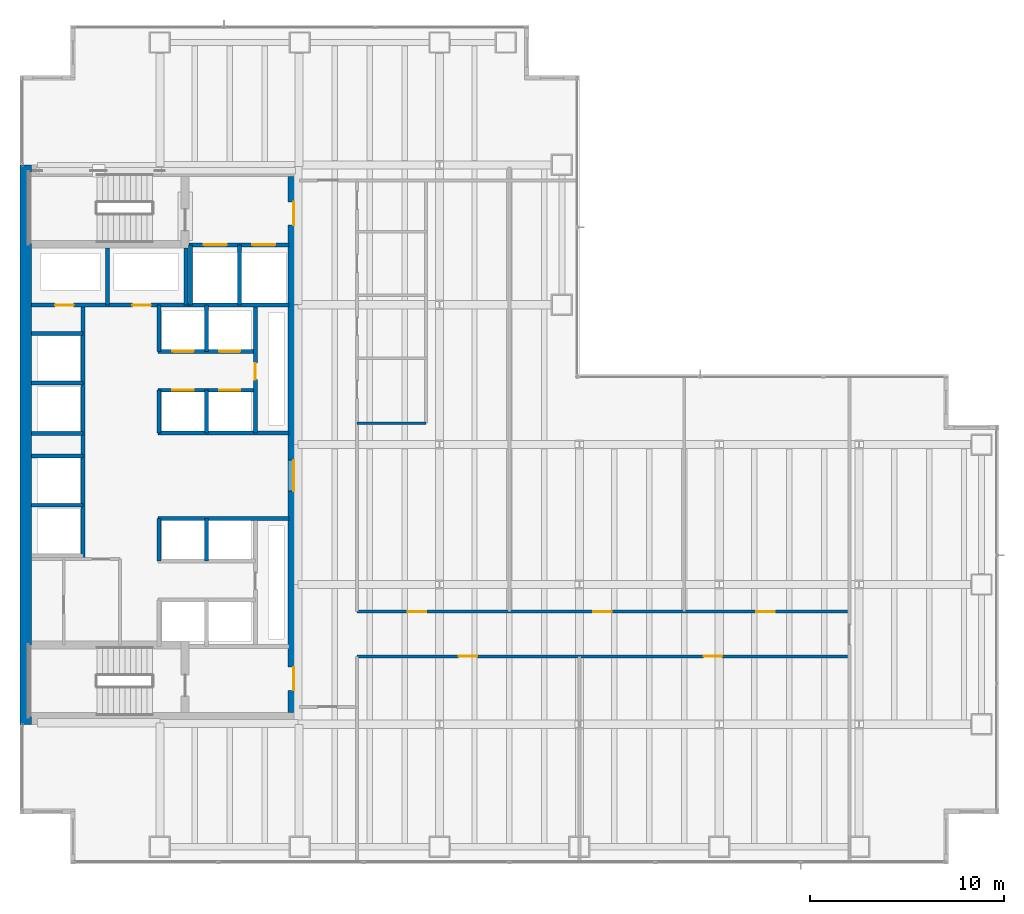
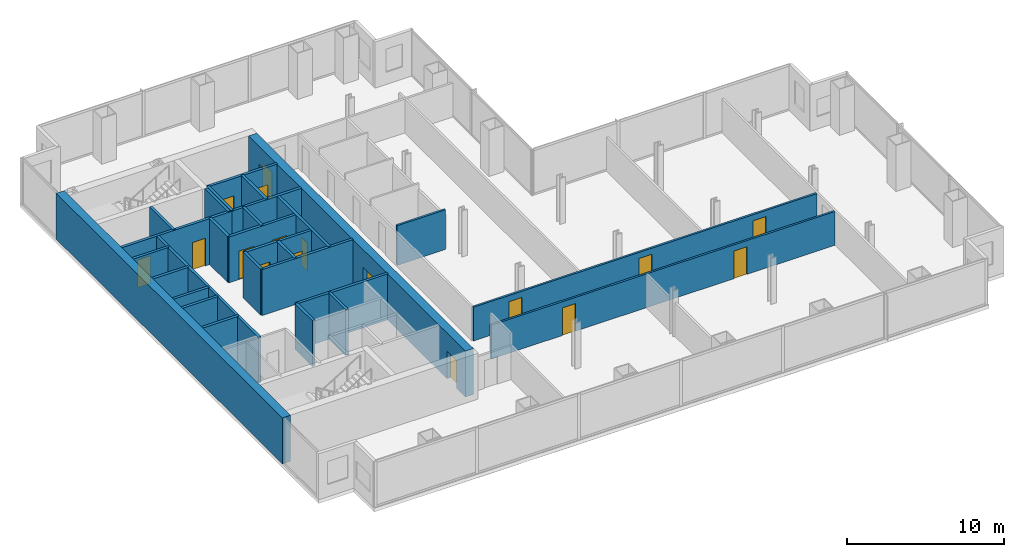
# One storey, part 21 of 25: 29 walls, 17 doors, 17 openings.
"""IFC4 building model written with IfcOpenShell, lengths in metres."""

from ifc_helpers import new_model, si_unit, direction, frame, frame_2d, origin, place, context, subcontext, project, spatial, rectangle, extrude, material, layer, layer_set, type_object, element, fill, save


model = new_model("IFC4")

# Units and contexts
model_context = context("Model", 3, precision=1e-05, world=origin(), true_north=direction((0.0, 1.0)))
body_context = subcontext(model_context, "Body", "Model", "MODEL_VIEW")
ifc_project = project(units=[si_unit("LENGTHUNIT", "METRE"), si_unit("AREAUNIT", "SQUARE_METRE"), si_unit("VOLUMEUNIT", "CUBIC_METRE"), si_unit("PLANEANGLEUNIT", "RADIAN"), si_unit("MASSUNIT", "GRAM", prefix="KILO")], contexts=[model_context])

# Site, building, storey
site_placement = place(None, origin())
site = spatial("IfcSite", under=ifc_project, at=site_placement, CompositionType="ELEMENT")
building_placement = place(site_placement, origin())
building = spatial("IfcBuilding", under=site, at=building_placement, Name="Cobrela Telecom Tower", CompositionType="ELEMENT")
storey_placement = place(building_placement, frame((0.0, 0.0, 35.0)))
storey = spatial("IfcBuildingStorey", under=building, at=storey_placement, Name="L08", CompositionType="ELEMENT", Elevation=35.0)

# Wall
ifc_material_1 = material(Name="Concrete C50/60", Category="concrete")
ifc_layer_1 = layer(ifc_material_1, 0.60009765625)
ifc_layer_set_1 = layer_set([ifc_layer_1], Name="Concrete C50/60")
wall_type_1 = type_object("IfcWallType", Name="WALL-CORE-C50-600", PredefinedType="SHEAR", material=ifc_layer_set_1)
wall_1_placement = place(storey_placement, frame((0.300048828125, 7.199951171875, 0.0), z_axis=(0.0, 0.0, 1.0), x_axis=(0.0, 1.0, 0.0)))
element("IfcWall", 1, at=wall_1_placement, inside=storey, type_object=wall_type_1, Name="L08 West Core Shear Wall", PredefinedType="SHEAR", context=body_context, shape_type="SweptSolid", body=[
    extrude(rectangle(XDim=28.800048828125, YDim=0.60009765625, at=frame_2d((14.39990234375, 0.0))), origin(), (0.0, 0.0, 1.0), 3.570068359375),
])

# Wall, openings, doors
wall_2_placement = place(storey_placement, frame((14.10009765625, 35.39990234375, 0.0), z_axis=(0.0, 0.0, 1.0), x_axis=(0.0, -1.0, 0.0)))
wall_2 = element("IfcWall", 2, at=wall_2_placement, inside=storey, type_object=wall_type_1, Name="L08 East Core Shear Wall", PredefinedType="SHEAR", context=body_context, shape_type="SweptSolid", body=[
    extrude(rectangle(XDim=27.599853515625, YDim=0.60009765625, at=frame_2d((13.7998046875, 0.0))), origin(), (0.0, 0.0, 1.0), 3.570068359375),
])
opening_1_placement = place(wall_2_placement, frame((1.300048828125, 0.0, 0.0)))
opening_1 = element("IfcOpeningElement", 3, at=opening_1_placement, cuts=wall_2, Name="Opening DR-19", PredefinedType="OPENING", context=body_context, shape_type="SweptSolid", body=[
    extrude(rectangle(XDim=1.199951171875, YDim=2.14990234375, at=frame_2d((0.60009765625, 1.074951171875))), frame((0.0, 0.31201171875, 0.0), z_axis=(0.0, -1.0, 0.0), x_axis=(1.0, 0.0, 0.0)), (0.0, 0.0, 1.0), 0.6240234375),
])
opening_2_placement = place(wall_2_placement, frame((25.25, 0.0, 0.0)))
opening_2 = element("IfcOpeningElement", 4, at=opening_2_placement, cuts=wall_2, Name="Opening DR-19", PredefinedType="OPENING", context=body_context, shape_type="SweptSolid", body=[
    extrude(rectangle(XDim=1.199951171875, YDim=2.14990234375, at=frame_2d((0.60009765625, 1.074951171875))), frame((0.0, 0.31201171875, 0.0), z_axis=(0.0, -1.0, 0.0), x_axis=(1.0, 0.0, 0.0)), (0.0, 0.0, 1.0), 0.6240234375),
])
opening_3_placement = place(wall_2_placement, frame((14.60009765625, 0.0, 0.0)))
opening_3 = element("IfcOpeningElement", 5, at=opening_3_placement, cuts=wall_2, Name="Opening DR-51", PredefinedType="OPENING", context=body_context, shape_type="SweptSolid", body=[
    extrude(rectangle(XDim=1.60009765625, YDim=2.199951171875, at=frame_2d((0.800048828125, 1.10009765625))), frame((0.0, 0.31201171875, 0.0), z_axis=(0.0, -1.0, 0.0), x_axis=(1.0, 0.0, 0.0)), (0.0, 0.0, 1.0), 0.6240234375),
])
ifc_material_2 = material(Name="Steel ASTM A36", Category="steel")
door_type_1 = type_object("IfcDoorType", Name="DOOR-FD60-1200", OperationType="SINGLE_SWING_LEFT", PredefinedType="DOOR", material=ifc_material_2)
door_1_placement = place(opening_1_placement, origin())
door_1 = element("IfcDoor", 6, at=door_1_placement, inside=storey, type_object=door_type_1, Name="L08 Door DR-19", OperationType="SINGLE_SWING_LEFT", OverallHeight=2.14990234375, OverallWidth=1.199951171875, PredefinedType="DOOR", context=body_context, shape_type="SweptSolid", body=[
    extrude(rectangle(XDim=1.199951171875, YDim=2.14990234375, at=frame_2d((0.60009765625, 1.074951171875))), frame((0.0, 0.02490234375, 0.0), z_axis=(0.0, -1.0, 0.0), x_axis=(1.0, 0.0, 0.0)), (0.0, 0.0, 1.0), 0.050048828125),
])
fill(opening_1, door_1)
door_2_placement = place(opening_2_placement, origin())
door_2 = element("IfcDoor", 7, at=door_2_placement, inside=storey, type_object=door_type_1, Name="L08 Door DR-19", OperationType="SINGLE_SWING_RIGHT", OverallHeight=2.14990234375, OverallWidth=1.199951171875, PredefinedType="DOOR", context=body_context, shape_type="SweptSolid", body=[
    extrude(rectangle(XDim=1.199951171875, YDim=2.14990234375, at=frame_2d((0.60009765625, 1.074951171875))), frame((0.0, 0.02490234375, 0.0), z_axis=(0.0, -1.0, 0.0), x_axis=(1.0, 0.0, 0.0)), (0.0, 0.0, 1.0), 0.050048828125),
])
fill(opening_2, door_2)
door_type_2 = type_object("IfcDoorType", Name="DOOR-FD60-1600", OperationType="SINGLE_SWING_LEFT", PredefinedType="DOOR", material=ifc_material_2)
door_3_placement = place(opening_3_placement, origin())
door_3 = element("IfcDoor", 8, at=door_3_placement, inside=storey, type_object=door_type_2, Name="L08 Door DR-51", OperationType="DOUBLE_DOOR_SINGLE_SWING", OverallHeight=2.199951171875, OverallWidth=1.60009765625, PredefinedType="DOOR", context=body_context, shape_type="SweptSolid", body=[
    extrude(rectangle(XDim=1.60009765625, YDim=2.199951171875, at=frame_2d((0.800048828125, 1.10009765625))), frame((0.0, 0.02490234375, 0.0), z_axis=(0.0, -1.0, 0.0), x_axis=(1.0, 0.0, 0.0)), (0.0, 0.0, 1.0), 0.050048828125),
])
fill(opening_3, door_3)

ifc_material_3 = material(Name="Fire-Rated Gypsum Plasterboard")
ifc_layer_2 = layer(ifc_material_3, 0.14990234375)
ifc_layer_set_2 = layer_set([ifc_layer_2], Name="Fire-Rated Gypsum Plasterboard")
wall_type_2 = type_object("IfcWallType", Name="WALL-PART-150", PredefinedType="PARTITIONING", material=ifc_layer_set_2)
wall_3_placement = place(storey_placement, frame((17.35009765625, 10.699951171875, 0.0), z_axis=(0.0, 0.0, 1.0), x_axis=(1.0, 0.0, 0.0)))
wall_3 = element("IfcWall", 9, at=wall_3_placement, inside=storey, type_object=wall_type_2, Name="L08 Interior Partition W-C-HS", PredefinedType="PARTITIONING", context=body_context, shape_type="SweptSolid", body=[
    extrude(rectangle(XDim=25.25, YDim=0.14990234375, at=frame_2d((12.625, 0.0))), origin(), (0.0, 0.0, 1.0), 2.6279296875),
])
opening_4_placement = place(wall_3_placement, frame((5.22998046875, 0.0, 0.0)))
opening_4 = element("IfcOpeningElement", 10, at=opening_4_placement, cuts=wall_3, Name="Opening DR-67", PredefinedType="OPENING", context=body_context, shape_type="SweptSolid", body=[
    extrude(rectangle(XDim=0.949951171875, YDim=2.14990234375, at=frame_2d((0.47509765625, 1.074951171875))), frame((0.0, 0.0869140625, 0.0), z_axis=(0.0, -1.0, 0.0), x_axis=(1.0, 0.0, 0.0)), (0.0, 0.0, 1.0), 0.173828125),
])
opening_5_placement = place(wall_3_placement, frame((17.85009765625, 0.0, 0.0)))
opening_5 = element("IfcOpeningElement", 11, at=opening_5_placement, cuts=wall_3, Name="Opening DR-67", PredefinedType="OPENING", context=body_context, shape_type="SweptSolid", body=[
    extrude(rectangle(XDim=0.949951171875, YDim=2.14990234375, at=frame_2d((0.47509765625, 1.074951171875))), frame((0.0, 0.0869140625, 0.0), z_axis=(0.0, -1.0, 0.0), x_axis=(1.0, 0.0, 0.0)), (0.0, 0.0, 1.0), 0.173828125),
])
ifc_material_4 = material(Name="Solid Engineered Oak Timber", Category="wood")
door_type_3 = type_object("IfcDoorType", Name="DOOR-INT-950", OperationType="SINGLE_SWING_LEFT", PredefinedType="DOOR", material=ifc_material_4)
door_4_placement = place(opening_4_placement, origin())
door_4 = element("IfcDoor", 12, at=door_4_placement, inside=storey, type_object=door_type_3, Name="L08 Door DR-67", OperationType="SINGLE_SWING_LEFT", OverallHeight=2.14990234375, OverallWidth=0.949951171875, PredefinedType="DOOR", context=body_context, shape_type="SweptSolid", body=[
    extrude(rectangle(XDim=0.949951171875, YDim=2.14990234375, at=frame_2d((0.47509765625, 1.074951171875))), frame((0.0, 0.02490234375, 0.0), z_axis=(0.0, -1.0, 0.0), x_axis=(1.0, 0.0, 0.0)), (0.0, 0.0, 1.0), 0.050048828125),
])
fill(opening_4, door_4)
door_5_placement = place(opening_5_placement, origin())
door_5 = element("IfcDoor", 13, at=door_5_placement, inside=storey, type_object=door_type_3, Name="L08 Door DR-67", OperationType="SINGLE_SWING_RIGHT", OverallHeight=2.14990234375, OverallWidth=0.949951171875, PredefinedType="DOOR", context=body_context, shape_type="SweptSolid", body=[
    extrude(rectangle(XDim=0.949951171875, YDim=2.14990234375, at=frame_2d((0.47509765625, 1.074951171875))), frame((0.0, 0.02490234375, 0.0), z_axis=(0.0, -1.0, 0.0), x_axis=(1.0, 0.0, 0.0)), (0.0, 0.0, 1.0), 0.050048828125),
])
fill(opening_5, door_5)

wall_4_placement = place(storey_placement, frame((17.35009765625, 13.0, 0.0), z_axis=(0.0, 0.0, 1.0), x_axis=(1.0, 0.0, 0.0)))
wall_4 = element("IfcWall", 14, at=wall_4_placement, inside=storey, type_object=wall_type_2, Name="L08 Interior Partition W-C-HN", PredefinedType="PARTITIONING", context=body_context, shape_type="SweptSolid", body=[
    extrude(rectangle(XDim=25.25, YDim=0.14990234375, at=frame_2d((12.625, 0.0))), origin(), (0.0, 0.0, 1.0), 2.6279296875),
])
opening_6_placement = place(wall_4_placement, frame((2.6201171875, 0.0, 0.0)))
opening_6 = element("IfcOpeningElement", 15, at=opening_6_placement, cuts=wall_4, Name="Opening DR-67", PredefinedType="OPENING", context=body_context, shape_type="SweptSolid", body=[
    extrude(rectangle(XDim=0.949951171875, YDim=2.14990234375, at=frame_2d((0.47509765625, 1.074951171875))), frame((0.0, 0.0869140625, 0.0), z_axis=(0.0, -1.0, 0.0), x_axis=(1.0, 0.0, 0.0)), (0.0, 0.0, 1.0), 0.173828125),
])
opening_7_placement = place(wall_4_placement, frame((12.169921875, 0.0, 0.0)))
opening_7 = element("IfcOpeningElement", 16, at=opening_7_placement, cuts=wall_4, Name="Opening DR-67", PredefinedType="OPENING", context=body_context, shape_type="SweptSolid", body=[
    extrude(rectangle(XDim=0.949951171875, YDim=2.14990234375, at=frame_2d((0.47509765625, 1.074951171875))), frame((0.0, 0.0869140625, 0.0), z_axis=(0.0, -1.0, 0.0), x_axis=(1.0, 0.0, 0.0)), (0.0, 0.0, 1.0), 0.173828125),
])
opening_8_placement = place(wall_4_placement, frame((20.550048828125, 0.0, 0.0)))
opening_8 = element("IfcOpeningElement", 17, at=opening_8_placement, cuts=wall_4, Name="Opening DR-67", PredefinedType="OPENING", context=body_context, shape_type="SweptSolid", body=[
    extrude(rectangle(XDim=0.949951171875, YDim=2.14990234375, at=frame_2d((0.47509765625, 1.074951171875))), frame((0.0, 0.0869140625, 0.0), z_axis=(0.0, -1.0, 0.0), x_axis=(1.0, 0.0, 0.0)), (0.0, 0.0, 1.0), 0.173828125),
])
door_6_placement = place(opening_6_placement, origin())
door_6 = element("IfcDoor", 18, at=door_6_placement, inside=storey, type_object=door_type_3, Name="L08 Door DR-67", OperationType="SINGLE_SWING_LEFT", OverallHeight=2.14990234375, OverallWidth=0.949951171875, PredefinedType="DOOR", context=body_context, shape_type="SweptSolid", body=[
    extrude(rectangle(XDim=0.949951171875, YDim=2.14990234375, at=frame_2d((0.47509765625, 1.074951171875))), frame((0.0, 0.02490234375, 0.0), z_axis=(0.0, -1.0, 0.0), x_axis=(1.0, 0.0, 0.0)), (0.0, 0.0, 1.0), 0.050048828125),
])
fill(opening_6, door_6)
door_7_placement = place(opening_7_placement, origin())
door_7 = element("IfcDoor", 19, at=door_7_placement, inside=storey, type_object=door_type_3, Name="L08 Door DR-67", OperationType="SINGLE_SWING_RIGHT", OverallHeight=2.14990234375, OverallWidth=0.949951171875, PredefinedType="DOOR", context=body_context, shape_type="SweptSolid", body=[
    extrude(rectangle(XDim=0.949951171875, YDim=2.14990234375, at=frame_2d((0.47509765625, 1.074951171875))), frame((0.0, 0.02490234375, 0.0), z_axis=(0.0, -1.0, 0.0), x_axis=(1.0, 0.0, 0.0)), (0.0, 0.0, 1.0), 0.050048828125),
])
fill(opening_7, door_7)
door_8_placement = place(opening_8_placement, origin())
door_8 = element("IfcDoor", 20, at=door_8_placement, inside=storey, type_object=door_type_3, Name="L08 Door DR-67", OperationType="SINGLE_SWING_LEFT", OverallHeight=2.14990234375, OverallWidth=0.949951171875, PredefinedType="DOOR", context=body_context, shape_type="SweptSolid", body=[
    extrude(rectangle(XDim=0.949951171875, YDim=2.14990234375, at=frame_2d((0.47509765625, 1.074951171875))), frame((0.0, 0.02490234375, 0.0), z_axis=(0.0, -1.0, 0.0), x_axis=(1.0, 0.0, 0.0)), (0.0, 0.0, 1.0), 0.050048828125),
])
fill(opening_8, door_8)

# Wall
wall_5_placement = place(storey_placement, frame((17.35009765625, 22.699951171875, 0.0), z_axis=(0.0, 0.0, 1.0), x_axis=(1.0, 0.0, 0.0)))
element("IfcWall", 21, at=wall_5_placement, inside=storey, type_object=wall_type_2, Name="L08 Interior Partition W-WC-S", PredefinedType="PARTITIONING", context=body_context, shape_type="SweptSolid", body=[
    extrude(rectangle(XDim=3.5498046875, YDim=0.14990234375, at=frame_2d((1.77490234375, 0.0))), origin(), (0.0, 0.0, 1.0), 3.087890625),
])

# Wall, openings, doors
ifc_layer_3 = layer(ifc_material_3, 0.199951171875)
ifc_layer_set_3 = layer_set([ifc_layer_3], Name="Fire-Rated Gypsum Plasterboard")
wall_type_3 = type_object("IfcWallType", Name="WALL-SHAFT-200", PredefinedType="PARTITIONING", material=ifc_layer_set_3)
wall_6_placement = place(storey_placement, frame((8.699951171875, 31.8798828125, 0.0), z_axis=(0.0, 0.0, 1.0), x_axis=(1.0, 0.0, 0.0)))
wall_6 = element("IfcWall", 22, at=wall_6_placement, inside=storey, type_object=wall_type_3, Name="L08 Shaft Enclosure CW-FFL-S", PredefinedType="PARTITIONING", context=body_context, shape_type="SweptSolid", body=[
    extrude(rectangle(XDim=5.150146484375, YDim=0.199951171875, at=frame_2d((2.5751953125, 0.0))), origin(), (0.0, 0.0, 1.0), 3.570068359375),
])
opening_9_placement = place(wall_6_placement, frame((0.75, 0.0, 0.0)))
opening_9 = element("IfcOpeningElement", 23, at=opening_9_placement, cuts=wall_6, Name="Opening LD-2", PredefinedType="OPENING", context=body_context, shape_type="SweptSolid", body=[
    extrude(rectangle(XDim=1.199951171875, YDim=2.199951171875, at=frame_2d((0.60009765625, 1.10009765625))), frame((0.0, 0.11181640625, 0.0), z_axis=(0.0, -1.0, 0.0), x_axis=(1.0, 0.0, 0.0)), (0.0, 0.0, 1.0), 0.223876953125),
])
opening_10_placement = place(wall_6_placement, frame((3.25, 0.0, 0.0)))
opening_10 = element("IfcOpeningElement", 24, at=opening_10_placement, cuts=wall_6, Name="Opening LD-2", PredefinedType="OPENING", context=body_context, shape_type="SweptSolid", body=[
    extrude(rectangle(XDim=1.199951171875, YDim=2.199951171875, at=frame_2d((0.60009765625, 1.10009765625))), frame((0.0, 0.11181640625, 0.0), z_axis=(0.0, -1.0, 0.0), x_axis=(1.0, 0.0, 0.0)), (0.0, 0.0, 1.0), 0.223876953125),
])
door_type_4 = type_object("IfcDoorType", Name="DOOR-LD-FFL", OperationType="SINGLE_SWING_LEFT", PredefinedType="DOOR", material=ifc_material_2)
door_9_placement = place(opening_9_placement, origin())
door_9 = element("IfcDoor", 25, at=door_9_placement, inside=storey, type_object=door_type_4, Name="L08 Lift Landing Door LD-2", OperationType="DOUBLE_DOOR_SLIDING", OverallHeight=2.199951171875, OverallWidth=1.199951171875, PredefinedType="DOOR", context=body_context, shape_type="SweptSolid", body=[
    extrude(rectangle(XDim=1.199951171875, YDim=2.199951171875, at=frame_2d((0.60009765625, 1.10009765625))), frame((0.0, 0.02490234375, 0.0), z_axis=(0.0, -1.0, 0.0), x_axis=(1.0, 0.0, 0.0)), (0.0, 0.0, 1.0), 0.050048828125),
])
fill(opening_9, door_9)
door_10_placement = place(opening_10_placement, origin())
door_10 = element("IfcDoor", 26, at=door_10_placement, inside=storey, type_object=door_type_4, Name="L08 Lift Landing Door LD-2", OperationType="DOUBLE_DOOR_SLIDING", OverallHeight=2.199951171875, OverallWidth=1.199951171875, PredefinedType="DOOR", context=body_context, shape_type="SweptSolid", body=[
    extrude(rectangle(XDim=1.199951171875, YDim=2.199951171875, at=frame_2d((0.60009765625, 1.10009765625))), frame((0.0, 0.02490234375, 0.0), z_axis=(0.0, -1.0, 0.0), x_axis=(1.0, 0.0, 0.0)), (0.0, 0.0, 1.0), 0.050048828125),
])
fill(opening_10, door_10)

# Walls
wall_7_placement = place(storey_placement, frame((8.699951171875, 28.780029296875, 0.0), z_axis=(0.0, 0.0, 1.0), x_axis=(1.0, 0.0, 0.0)))
element("IfcWall", 27, at=wall_7_placement, inside=storey, type_object=wall_type_3, Name="L08 Shaft Enclosure CW-FFL-S2", PredefinedType="PARTITIONING", context=body_context, shape_type="SweptSolid", body=[
    extrude(rectangle(XDim=5.150146484375, YDim=0.199951171875, at=frame_2d((2.5751953125, 0.0))), origin(), (0.0, 0.0, 1.0), 3.570068359375),
])
for number, where, z_axis, x_axis, name in (
    (28, (8.780029296875, 28.780029296875, 0.0), (0.0, 0.0, 1.0), (0.0, 1.0, 0.0), "L08 Shaft Enclosure CW-FFL-W"),
    (29, (11.300048828125, 28.780029296875, 0.0), (0.0, 0.0, 1.0), (0.0, 1.0, 0.0), "L08 Shaft Enclosure CW-FFL-M"),
):
    element("IfcWall", number, at=place(storey_placement, frame(where, z_axis=z_axis, x_axis=x_axis)), inside=storey, type_object=wall_type_3, Name=name, PredefinedType="PARTITIONING", context=body_context, shape_type="SweptSolid", body=[
        extrude(rectangle(XDim=3.099853515625, YDim=0.199951171875, at=frame_2d((1.5498046875, 0.0))), origin(), (0.0, 0.0, 1.0), 3.570068359375),
    ])

# Wall, openings, doors
wall_8_placement = place(storey_placement, frame((0.60009765625, 28.780029296875, 0.0), z_axis=(0.0, 0.0, 1.0), x_axis=(1.0, 0.0, 0.0)))
wall_8 = element("IfcWall", 30, at=wall_8_placement, inside=storey, type_object=wall_type_3, Name="L08 Shaft Enclosure CW-RIS-S", PredefinedType="PARTITIONING", context=body_context, shape_type="SweptSolid", body=[
    extrude(rectangle(XDim=8.179931640625, YDim=0.199951171875, at=frame_2d((4.08984375, 0.0))), origin(), (0.0, 0.0, 1.0), 3.570068359375),
])
opening_11_placement = place(wall_8_placement, frame((1.2099609375, 0.0, 0.0)))
opening_11 = element("IfcOpeningElement", 31, at=opening_11_placement, cuts=wall_8, Name="Opening DR-65", PredefinedType="OPENING", context=body_context, shape_type="SweptSolid", body=[
    extrude(rectangle(XDim=0.949951171875, YDim=2.14990234375, at=frame_2d((0.47509765625, 1.074951171875))), frame((0.0, 0.11181640625, 0.0), z_axis=(0.0, -1.0, 0.0), x_axis=(1.0, 0.0, 0.0)), (0.0, 0.0, 1.0), 0.223876953125),
])
opening_12_placement = place(wall_8_placement, frame((5.18994140625, 0.0, 0.0)))
opening_12 = element("IfcOpeningElement", 32, at=opening_12_placement, cuts=wall_8, Name="Opening DR-65", PredefinedType="OPENING", context=body_context, shape_type="SweptSolid", body=[
    extrude(rectangle(XDim=0.949951171875, YDim=2.14990234375, at=frame_2d((0.47509765625, 1.074951171875))), frame((0.0, 0.11181640625, 0.0), z_axis=(0.0, -1.0, 0.0), x_axis=(1.0, 0.0, 0.0)), (0.0, 0.0, 1.0), 0.223876953125),
])
door_type_5 = type_object("IfcDoorType", Name="DOOR-FD60-950", OperationType="SINGLE_SWING_LEFT", PredefinedType="DOOR", material=ifc_material_2)
door_11_placement = place(opening_11_placement, origin())
door_11 = element("IfcDoor", 33, at=door_11_placement, inside=storey, type_object=door_type_5, Name="L08 Door DR-65", OperationType="SINGLE_SWING_LEFT", OverallHeight=2.14990234375, OverallWidth=0.949951171875, PredefinedType="DOOR", context=body_context, shape_type="SweptSolid", body=[
    extrude(rectangle(XDim=0.949951171875, YDim=2.14990234375, at=frame_2d((0.47509765625, 1.074951171875))), frame((0.0, 0.02490234375, 0.0), z_axis=(0.0, -1.0, 0.0), x_axis=(1.0, 0.0, 0.0)), (0.0, 0.0, 1.0), 0.050048828125),
])
fill(opening_11, door_11)
door_12_placement = place(opening_12_placement, origin())
door_12 = element("IfcDoor", 34, at=door_12_placement, inside=storey, type_object=door_type_5, Name="L08 Door DR-65", OperationType="SINGLE_SWING_RIGHT", OverallHeight=2.14990234375, OverallWidth=0.949951171875, PredefinedType="DOOR", context=body_context, shape_type="SweptSolid", body=[
    extrude(rectangle(XDim=0.949951171875, YDim=2.14990234375, at=frame_2d((0.47509765625, 1.074951171875))), frame((0.0, 0.02490234375, 0.0), z_axis=(0.0, -1.0, 0.0), x_axis=(1.0, 0.0, 0.0)), (0.0, 0.0, 1.0), 0.050048828125),
])
fill(opening_12, door_12)

# Walls
for number, where, z_axis, x_axis, name in (
    (35, (4.5, 28.780029296875, 0.0), (0.0, 0.0, 1.0), (0.0, 1.0, 0.0), "L08 Shaft Enclosure CW-RIS-M"),
    (36, (8.550048828125, 28.780029296875, 0.0), (0.0, 0.0, 1.0), (0.0, 1.0, 0.0), "L08 Shaft Enclosure CW-RIS-E"),
):
    element("IfcWall", number, at=place(storey_placement, frame(where, z_axis=z_axis, x_axis=x_axis)), inside=storey, type_object=wall_type_3, Name=name, PredefinedType="PARTITIONING", context=body_context, shape_type="SweptSolid", body=[
        extrude(rectangle(XDim=2.93994140625, YDim=0.199951171875, at=frame_2d((1.469970703125, 0.0))), origin(), (0.0, 0.0, 1.0), 3.570068359375),
    ])
wall_9_placement = place(storey_placement, frame((3.25, 15.699951171875, 0.0), z_axis=(0.0, 0.0, 1.0), x_axis=(0.0, 1.0, 0.0)))
element("IfcWall", 37, at=wall_9_placement, inside=storey, type_object=wall_type_3, Name="L08 Shaft Enclosure CW-PLH-E", PredefinedType="PARTITIONING", context=body_context, shape_type="SweptSolid", body=[
    extrude(rectangle(XDim=13.080078125, YDim=0.199951171875, at=frame_2d((6.5400390625, 0.0))), origin(), (0.0, 0.0, 1.0), 3.570068359375),
])
for number, where, z_axis, x_axis, name in (
    (38, (0.60009765625, 18.47998046875, 0.0), (0.0, 0.0, 1.0), (1.0, 0.0, 0.0), "L08 Shaft Enclosure CW-PLH-D10"),
    (39, (0.60009765625, 22.179931640625, 0.0), (0.0, 0.0, 1.0), (1.0, 0.0, 0.0), "L08 Shaft Enclosure CW-PLH-D11"),
    (40, (0.60009765625, 24.780029296875, 0.0), (0.0, 0.0, 1.0), (1.0, 0.0, 0.0), "L08 Shaft Enclosure CW-PLH-D12"),
    (41, (0.60009765625, 21.02001953125, 0.0), (0.0, 0.0, 1.0), (1.0, 0.0, 0.0), "L08 Shaft Enclosure CW-PLH-MID"),
    (42, (0.60009765625, 27.320068359375, 0.0), (0.0, 0.0, 1.0), (1.0, 0.0, 0.0), "L08 Shaft Enclosure CW-PLH-TOP"),
):
    element("IfcWall", number, at=place(storey_placement, frame(where, z_axis=z_axis, x_axis=x_axis)), inside=storey, type_object=wall_type_3, Name=name, PredefinedType="PARTITIONING", context=body_context, shape_type="SweptSolid", body=[
        extrude(rectangle(XDim=2.64990234375, YDim=0.199951171875, at=frame_2d((1.324951171875, 0.0))), origin(), (0.0, 0.0, 1.0), 3.570068359375),
    ])
wall_10_placement = place(storey_placement, frame((7.10009765625, 22.199951171875, 0.0), z_axis=(0.0, 0.0, 1.0), x_axis=(1.0, 0.0, 0.0)))
element("IfcWall", 43, at=wall_10_placement, inside=storey, type_object=wall_type_3, Name="L08 Shaft Enclosure CW-PLL-B0", PredefinedType="PARTITIONING", context=body_context, shape_type="SweptSolid", body=[
    extrude(rectangle(XDim=6.75, YDim=0.199951171875, at=frame_2d((3.375, 0.0))), origin(), (0.0, 0.0, 1.0), 3.570068359375),
])

# Wall, openings, doors
wall_11_placement = place(storey_placement, frame((7.10009765625, 24.39990234375, 0.0), z_axis=(0.0, 0.0, 1.0), x_axis=(1.0, 0.0, 0.0)))
wall_11 = element("IfcWall", 44, at=wall_11_placement, inside=storey, type_object=wall_type_3, Name="L08 Shaft Enclosure CW-PLL-S", PredefinedType="PARTITIONING", context=body_context, shape_type="SweptSolid", body=[
    extrude(rectangle(XDim=5.02001953125, YDim=0.199951171875, at=frame_2d((2.510009765625, 0.0))), origin(), (0.0, 0.0, 1.0), 3.570068359375),
])
opening_13_placement = place(wall_11_placement, frame((0.75, 0.0, 0.0)))
opening_13 = element("IfcOpeningElement", 45, at=opening_13_placement, cuts=wall_11, Name="Opening LD-1", PredefinedType="OPENING", context=body_context, shape_type="SweptSolid", body=[
    extrude(rectangle(XDim=1.10009765625, YDim=2.199951171875, at=frame_2d((0.550048828125, 1.10009765625))), frame((0.0, 0.11181640625, 0.0), z_axis=(0.0, -1.0, 0.0), x_axis=(1.0, 0.0, 0.0)), (0.0, 0.0, 1.0), 0.223876953125),
])
opening_14_placement = place(wall_11_placement, frame((3.14990234375, 0.0, 0.0)))
opening_14 = element("IfcOpeningElement", 46, at=opening_14_placement, cuts=wall_11, Name="Opening LD-1", PredefinedType="OPENING", context=body_context, shape_type="SweptSolid", body=[
    extrude(rectangle(XDim=1.10009765625, YDim=2.199951171875, at=frame_2d((0.550048828125, 1.10009765625))), frame((0.0, 0.11181640625, 0.0), z_axis=(0.0, -1.0, 0.0), x_axis=(1.0, 0.0, 0.0)), (0.0, 0.0, 1.0), 0.223876953125),
])
door_type_6 = type_object("IfcDoorType", Name="DOOR-LD-PL", OperationType="SINGLE_SWING_LEFT", PredefinedType="DOOR", material=ifc_material_2)
door_13_placement = place(opening_13_placement, origin())
door_13 = element("IfcDoor", 47, at=door_13_placement, inside=storey, type_object=door_type_6, Name="L08 Lift Landing Door LD-1", OperationType="DOUBLE_DOOR_SLIDING", OverallHeight=2.199951171875, OverallWidth=1.10009765625, PredefinedType="DOOR", context=body_context, shape_type="SweptSolid", body=[
    extrude(rectangle(XDim=1.10009765625, YDim=2.199951171875, at=frame_2d((0.550048828125, 1.10009765625))), frame((0.0, 0.02490234375, 0.0), z_axis=(0.0, -1.0, 0.0), x_axis=(1.0, 0.0, 0.0)), (0.0, 0.0, 1.0), 0.050048828125),
])
fill(opening_13, door_13)
door_14_placement = place(opening_14_placement, origin())
door_14 = element("IfcDoor", 48, at=door_14_placement, inside=storey, type_object=door_type_6, Name="L08 Lift Landing Door LD-1", OperationType="DOUBLE_DOOR_SLIDING", OverallHeight=2.199951171875, OverallWidth=1.10009765625, PredefinedType="DOOR", context=body_context, shape_type="SweptSolid", body=[
    extrude(rectangle(XDim=1.10009765625, YDim=2.199951171875, at=frame_2d((0.550048828125, 1.10009765625))), frame((0.0, 0.02490234375, 0.0), z_axis=(0.0, -1.0, 0.0), x_axis=(1.0, 0.0, 0.0)), (0.0, 0.0, 1.0), 0.050048828125),
])
fill(opening_14, door_14)

wall_12_placement = place(storey_placement, frame((7.10009765625, 26.39990234375, 0.0), z_axis=(0.0, 0.0, 1.0), x_axis=(1.0, 0.0, 0.0)))
wall_12 = element("IfcWall", 49, at=wall_12_placement, inside=storey, type_object=wall_type_3, Name="L08 Shaft Enclosure CW-PLL-N", PredefinedType="PARTITIONING", context=body_context, shape_type="SweptSolid", body=[
    extrude(rectangle(XDim=5.02001953125, YDim=0.199951171875, at=frame_2d((2.510009765625, 0.0))), origin(), (0.0, 0.0, 1.0), 3.570068359375),
])
opening_15_placement = place(wall_12_placement, frame((0.75, 0.0, 0.0)))
opening_15 = element("IfcOpeningElement", 50, at=opening_15_placement, cuts=wall_12, Name="Opening LD-1", PredefinedType="OPENING", context=body_context, shape_type="SweptSolid", body=[
    extrude(rectangle(XDim=1.10009765625, YDim=2.199951171875, at=frame_2d((0.550048828125, 1.10009765625))), frame((0.0, 0.11181640625, 0.0), z_axis=(0.0, -1.0, 0.0), x_axis=(1.0, 0.0, 0.0)), (0.0, 0.0, 1.0), 0.223876953125),
])
opening_16_placement = place(wall_12_placement, frame((3.14990234375, 0.0, 0.0)))
opening_16 = element("IfcOpeningElement", 51, at=opening_16_placement, cuts=wall_12, Name="Opening LD-1", PredefinedType="OPENING", context=body_context, shape_type="SweptSolid", body=[
    extrude(rectangle(XDim=1.10009765625, YDim=2.199951171875, at=frame_2d((0.550048828125, 1.10009765625))), frame((0.0, 0.11181640625, 0.0), z_axis=(0.0, -1.0, 0.0), x_axis=(1.0, 0.0, 0.0)), (0.0, 0.0, 1.0), 0.223876953125),
])
door_15_placement = place(opening_15_placement, origin())
door_15 = element("IfcDoor", 52, at=door_15_placement, inside=storey, type_object=door_type_6, Name="L08 Lift Landing Door LD-1", OperationType="DOUBLE_DOOR_SLIDING", OverallHeight=2.199951171875, OverallWidth=1.10009765625, PredefinedType="DOOR", context=body_context, shape_type="SweptSolid", body=[
    extrude(rectangle(XDim=1.10009765625, YDim=2.199951171875, at=frame_2d((0.550048828125, 1.10009765625))), frame((0.0, 0.02490234375, 0.0), z_axis=(0.0, -1.0, 0.0), x_axis=(1.0, 0.0, 0.0)), (0.0, 0.0, 1.0), 0.050048828125),
])
fill(opening_15, door_15)
door_16_placement = place(opening_16_placement, origin())
door_16 = element("IfcDoor", 53, at=door_16_placement, inside=storey, type_object=door_type_6, Name="L08 Lift Landing Door LD-1", OperationType="DOUBLE_DOOR_SLIDING", OverallHeight=2.199951171875, OverallWidth=1.10009765625, PredefinedType="DOOR", context=body_context, shape_type="SweptSolid", body=[
    extrude(rectangle(XDim=1.10009765625, YDim=2.199951171875, at=frame_2d((0.550048828125, 1.10009765625))), frame((0.0, 0.02490234375, 0.0), z_axis=(0.0, -1.0, 0.0), x_axis=(1.0, 0.0, 0.0)), (0.0, 0.0, 1.0), 0.050048828125),
])
fill(opening_16, door_16)

# Walls
wall_13_placement = place(storey_placement, frame((7.14990234375, 22.199951171875, 0.0), z_axis=(0.0, 0.0, 1.0), x_axis=(0.0, 1.0, 0.0)))
element("IfcWall", 54, at=wall_13_placement, inside=storey, type_object=wall_type_3, Name="L08 Shaft Enclosure CW-PLL-V1", PredefinedType="PARTITIONING", context=body_context, shape_type="SweptSolid", body=[
    extrude(rectangle(XDim=2.199951171875, YDim=0.199951171875, at=frame_2d((1.10009765625, 0.0))), origin(), (0.0, 0.0, 1.0), 3.570068359375),
])
wall_14_placement = place(storey_placement, frame((7.14990234375, 26.39990234375, 0.0), z_axis=(0.0, 0.0, 1.0), x_axis=(0.0, 1.0, 0.0)))
element("IfcWall", 55, at=wall_14_placement, inside=storey, type_object=wall_type_3, Name="L08 Shaft Enclosure CW-PLL-V1B", PredefinedType="PARTITIONING", context=body_context, shape_type="SweptSolid", body=[
    extrude(rectangle(XDim=2.380126953125, YDim=0.199951171875, at=frame_2d((1.18994140625, 0.0))), origin(), (0.0, 0.0, 1.0), 3.570068359375),
])
wall_15_placement = place(storey_placement, frame((9.60009765625, 22.199951171875, 0.0), z_axis=(0.0, 0.0, 1.0), x_axis=(0.0, 1.0, 0.0)))
element("IfcWall", 56, at=wall_15_placement, inside=storey, type_object=wall_type_3, Name="L08 Shaft Enclosure CW-PLL-V2", PredefinedType="PARTITIONING", context=body_context, shape_type="SweptSolid", body=[
    extrude(rectangle(XDim=2.199951171875, YDim=0.199951171875, at=frame_2d((1.10009765625, 0.0))), origin(), (0.0, 0.0, 1.0), 3.570068359375),
])
wall_16_placement = place(storey_placement, frame((9.60009765625, 26.39990234375, 0.0), z_axis=(0.0, 0.0, 1.0), x_axis=(0.0, 1.0, 0.0)))
element("IfcWall", 57, at=wall_16_placement, inside=storey, type_object=wall_type_3, Name="L08 Shaft Enclosure CW-PLL-V2B", PredefinedType="PARTITIONING", context=body_context, shape_type="SweptSolid", body=[
    extrude(rectangle(XDim=2.380126953125, YDim=0.199951171875, at=frame_2d((1.18994140625, 0.0))), origin(), (0.0, 0.0, 1.0), 3.570068359375),
])

# Wall, opening, door
wall_17_placement = place(storey_placement, frame((12.1201171875, 22.199951171875, 0.0), z_axis=(0.0, 0.0, 1.0), x_axis=(0.0, 1.0, 0.0)))
wall_17 = element("IfcWall", 58, at=wall_17_placement, inside=storey, type_object=wall_type_3, Name="L08 Shaft Enclosure CW-PLL-V3", PredefinedType="PARTITIONING", context=body_context, shape_type="SweptSolid", body=[
    extrude(rectangle(XDim=6.580078125, YDim=0.199951171875, at=frame_2d((3.2900390625, 0.0))), origin(), (0.0, 0.0, 1.0), 3.570068359375),
])
opening_17_placement = place(wall_17_placement, frame((2.75, 0.0, 0.0)))
opening_17 = element("IfcOpeningElement", 59, at=opening_17_placement, cuts=wall_17, Name="Opening DR-11", PredefinedType="OPENING", context=body_context, shape_type="SweptSolid", body=[
    extrude(rectangle(XDim=0.85009765625, YDim=2.14990234375, at=frame_2d((0.425048828125, 1.074951171875))), frame((0.0, 0.11181640625, 0.0), z_axis=(0.0, -1.0, 0.0), x_axis=(1.0, 0.0, 0.0)), (0.0, 0.0, 1.0), 0.223876953125),
])
door_type_7 = type_object("IfcDoorType", Name="DOOR-INT-850", OperationType="SINGLE_SWING_LEFT", PredefinedType="DOOR", material=ifc_material_4)
door_17_placement = place(opening_17_placement, origin())
door_17 = element("IfcDoor", 60, at=door_17_placement, inside=storey, type_object=door_type_7, Name="L08 Door DR-11", OperationType="SINGLE_SWING_LEFT", OverallHeight=2.14990234375, OverallWidth=0.85009765625, PredefinedType="DOOR", context=body_context, shape_type="SweptSolid", body=[
    extrude(rectangle(XDim=0.85009765625, YDim=2.14990234375, at=frame_2d((0.425048828125, 1.074951171875))), frame((0.0, 0.02490234375, 0.0), z_axis=(0.0, -1.0, 0.0), x_axis=(1.0, 0.0, 0.0)), (0.0, 0.0, 1.0), 0.050048828125),
])
fill(opening_17, door_17)

# Walls
wall_18_placement = place(storey_placement, frame((7.10009765625, 17.800048828125, 0.0), z_axis=(0.0, 0.0, 1.0), x_axis=(1.0, 0.0, 0.0)))
element("IfcWall", 61, at=wall_18_placement, inside=storey, type_object=wall_type_3, Name="L08 Shaft Enclosure CW-PLM-T0", PredefinedType="PARTITIONING", context=body_context, shape_type="SweptSolid", body=[
    extrude(rectangle(XDim=6.75, YDim=0.199951171875, at=frame_2d((3.375, 0.0))), origin(), (0.0, 0.0, 1.0), 3.570068359375),
])
for number, where, z_axis, x_axis, name in (
    (62, (7.14990234375, 15.60009765625, 0.0), (0.0, 0.0, 1.0), (0.0, 1.0, 0.0), "L08 Shaft Enclosure CW-PLM-V1"),
    (63, (9.60009765625, 15.60009765625, 0.0), (0.0, 0.0, 1.0), (0.0, 1.0, 0.0), "L08 Shaft Enclosure CW-PLM-V2"),
):
    element("IfcWall", number, at=place(storey_placement, frame(where, z_axis=z_axis, x_axis=x_axis)), inside=storey, type_object=wall_type_3, Name=name, PredefinedType="PARTITIONING", context=body_context, shape_type="SweptSolid", body=[
        extrude(rectangle(XDim=2.199951171875, YDim=0.199951171875, at=frame_2d((1.10009765625, 0.0))), origin(), (0.0, 0.0, 1.0), 3.570068359375),
    ])

save(model, "model.ifc")
